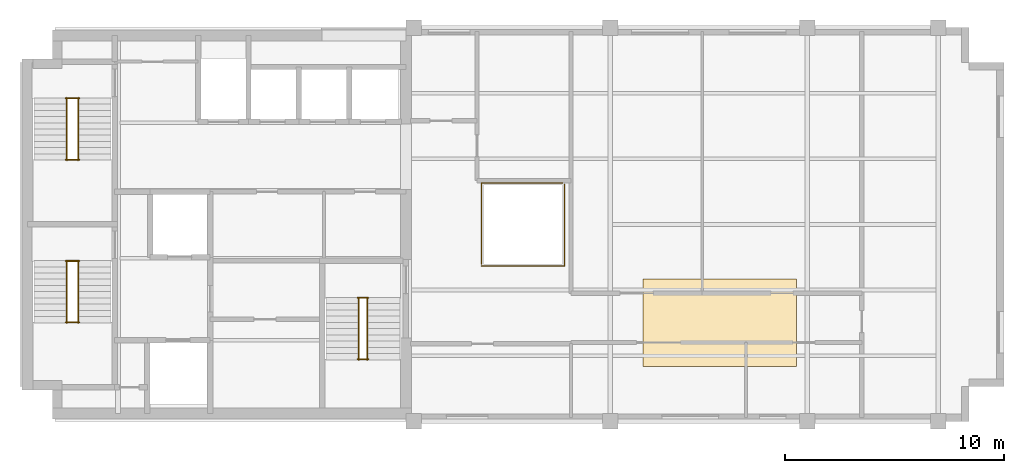
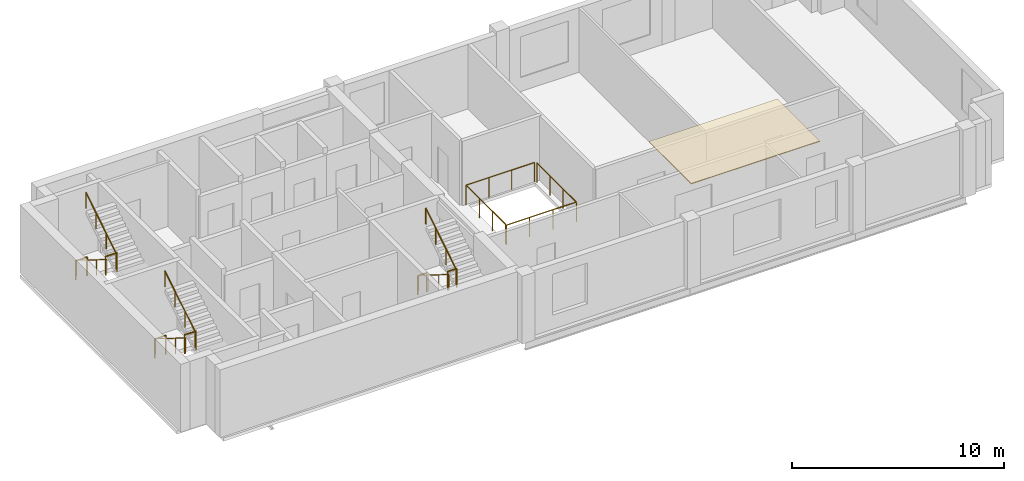
# One storey, part 5 of 5: 14 railings, 1 covering.
"""IFC4 building model written with IfcOpenShell, lengths in metres."""

import ifcopenshell
import ifcopenshell.guid

model = None  # the IFC model being written
_history = None  # IfcOwnerHistory: only IFC2X3 demands one
_inside = {}  # id of a spatial element -> (the spatial element, [elements in it])
_under = {}  # id of a project, library or spatial element -> (it, [spatial elements below it])
_declared = {}  # id of a project -> (the project, [libraries it declares])
_typed = {}  # id of a type object -> (the type object, [elements of that type])
_made_of = {}  # id of a material, layer set ... -> (it, [elements and type objects made of it])


def new_model(schema):
    """Start an empty IFC model of exactly this schema.

    Asked for "IFC4X3", IfcOpenShell would pick the latest addendum, in which some entities
    have other attributes; the version numbers below select the first issue.
    IFC2X3 requires an IfcOwnerHistory on every rooted entity: one is made here for all.
    """
    global model, _history
    if schema == "IFC4X3":
        model = ifcopenshell.file(schema_version=(4, 3, 0, 0))
    else:
        model = ifcopenshell.file(schema=schema)
    _inside.clear()
    _under.clear()
    _declared.clear()
    _typed.clear()
    _made_of.clear()
    _history = None
    if model.schema == "IFC2X3":
        org = make("IfcOrganization", Name="unknown")
        user = make(
            "IfcPersonAndOrganization",
            ThePerson=make("IfcPerson", FamilyName="unknown"),
            TheOrganization=org,
        )
        app = make(
            "IfcApplication",
            ApplicationDeveloper=org,
            Version="unknown",
            ApplicationFullName="unknown",
            ApplicationIdentifier="unknown",
        )
        _history = make(
            "IfcOwnerHistory",
            OwningUser=user,
            OwningApplication=app,
            ChangeAction="ADDED",
            CreationDate=0,
        )
    return model


def make(cls, **values):
    """One entity of the class cls with the attributes given. An attribute that is None is left unset."""
    return model.create_entity(
        cls, **{name: value for name, value in values.items() if value is not None}
    )


def rooted(cls, **values):
    """An entity with a GlobalId (a new one), such as an element, a storey or a relation."""
    return make(cls, GlobalId=ifcopenshell.guid.new(), OwnerHistory=_history, **values)


def si_unit(unit_type, name, prefix=None):
    """IfcSIUnit, for example si_unit("LENGTHUNIT", "METRE", prefix="MILLI")."""
    return make("IfcSIUnit", UnitType=unit_type, Prefix=prefix, Name=name)


def assignment(units):
    """IfcUnitAssignment: the units of a project."""
    return None if units is None else make("IfcUnitAssignment", Units=units)


def point(xyz):
    """IfcCartesianPoint."""
    return None if xyz is None else make("IfcCartesianPoint", Coordinates=xyz)


def direction(xyz):
    """IfcDirection."""
    return None if xyz is None else make("IfcDirection", DirectionRatios=xyz)


def frame(location, z_axis=None, x_axis=None):
    """IfcAxis2Placement3D, a coordinate frame: its origin and axes. An axis left out is left unset."""
    return make(
        "IfcAxis2Placement3D",
        Location=point(location),
        Axis=direction(z_axis),
        RefDirection=direction(x_axis),
    )


def frame_2d(location, x_axis=None):
    """IfcAxis2Placement2D, a coordinate frame in the plane: its origin and x axis."""
    return make(
        "IfcAxis2Placement2D", Location=point(location), RefDirection=direction(x_axis)
    )


def origin():
    """The frame at (0, 0, 0) with its axes left unset."""
    return frame((0.0, 0.0, 0.0))


def origin_2d():
    """The frame at (0, 0) in the plane with its x axis left unset."""
    return frame_2d((0.0, 0.0))


def place(relative_to, where):
    """IfcLocalPlacement: puts the frame where relative to a parent placement (None: the world)."""
    return make(
        "IfcLocalPlacement", PlacementRelTo=relative_to, RelativePlacement=where
    )


def context(
    kind, dimensions, precision=None, world=None, true_north=None, identifier=None
):
    """IfcGeometricRepresentationContext, for example the 3D "Model" context."""
    return make(
        "IfcGeometricRepresentationContext",
        ContextIdentifier=identifier,
        ContextType=kind,
        CoordinateSpaceDimension=dimensions,
        Precision=precision,
        WorldCoordinateSystem=world,
        TrueNorth=true_north,
    )


def subcontext(parent, identifier, kind, view, scale=None):
    """IfcGeometricRepresentationSubContext, for example "Body" below "Model"."""
    return make(
        "IfcGeometricRepresentationSubContext",
        ContextIdentifier=identifier,
        ContextType=kind,
        ParentContext=parent,
        TargetScale=scale,
        TargetView=view,
    )


def project(units=None, contexts=None):
    """IfcProject with its units and contexts."""
    return rooted(
        "IfcProject",
        Name="project",
        RepresentationContexts=contexts,
        UnitsInContext=assignment(units),
    )


def spatial(cls, under=None, at=None, **own):
    """A site, building, storey or space (cls), placed at a placement, below another one or the project."""
    s = rooted(cls, ObjectPlacement=at, **own)
    if under is not None:
        _under.setdefault(under.id(), (under, []))[1].append(s)
    return s


def polyline(points):
    """IfcPolyline through the points."""
    return make("IfcPolyline", Points=[point(p) for p in points])


def profile(cls, at=None, kind="AREA", **sizes):
    """A parametric profile (cls). Its sizes go by their IFC names, for example OverallWidth=200.0."""
    return make(cls, ProfileType=kind, Position=at, **sizes)


def circle(**sizes):
    """IfcCircleProfileDef."""
    return profile("IfcCircleProfileDef", **sizes)


def outline(outer, holes=None, kind="AREA"):
    """IfcArbitraryClosedProfileDef: a profile drawn as a closed curve; with holes, ...WithVoids."""
    if holes is None:
        return make("IfcArbitraryClosedProfileDef", ProfileType=kind, OuterCurve=outer)
    return make(
        "IfcArbitraryProfileDefWithVoids",
        ProfileType=kind,
        OuterCurve=outer,
        InnerCurves=holes,
    )


def extrude(swept, where, along, depth):
    """IfcExtrudedAreaSolid: the profile swept, set in the frame where, extruded along a direction by depth."""
    return make(
        "IfcExtrudedAreaSolid",
        SweptArea=swept,
        Position=where,
        ExtrudedDirection=direction(along),
        Depth=depth,
    )


def shape(context_of_items, identifier, shape_type, items):
    """IfcShapeRepresentation: the items that make up one representation, for example the "Body"."""
    return make(
        "IfcShapeRepresentation",
        ContextOfItems=context_of_items,
        RepresentationIdentifier=identifier,
        RepresentationType=shape_type,
        Items=items,
    )


def material(Name=None, Category=None):
    """IfcMaterial."""
    return make("IfcMaterial", Name=Name, Category=Category)


def layer(
    of_material, thickness, ventilated=None, Name=None, Category=None, Priority=None
):
    """IfcMaterialLayer: one layer of a wall or slab, of a material (None: an air gap)."""
    return make(
        "IfcMaterialLayer",
        Material=of_material,
        LayerThickness=thickness,
        IsVentilated=ventilated,
        Name=Name,
        Category=Category,
        Priority=Priority,
    )


def layer_set(layers, Name=None):
    """IfcMaterialLayerSet."""
    return make("IfcMaterialLayerSet", MaterialLayers=layers, LayerSetName=Name)


def made_of(thing, what):
    """Note that an element or type object is made of a material, layer set ...; save() writes the relation."""
    if what is not None:
        _made_of.setdefault(what.id(), (what, []))[1].append(thing)
    return thing


def type_object(cls, material=None, **own):
    """A type object (cls), such as IfcWallType, which elements share."""
    return made_of(rooted(cls, **own), material)


def element(
    cls,
    number,
    at=None,
    inside=None,
    cuts=None,
    type_object=None,
    material=None,
    context=None,
    identifier="Body",
    shape_type=None,
    held_by="IfcProductDefinitionShape",
    body=None,
    shapes=None,
    **own,
):
    """One element of the class cls, such as IfcWall. Its Tag is "e" and its number.

    at: its placement. inside: the storey or other place that contains it. cuts: it is an
    opening in that element (IfcRelVoidsElement). A single representation is given by context,
    identifier, shape_type and body (its items); several are given by shapes. held_by: the class
    of the entity that holds the representations. save() writes the other relations.
    """
    e = rooted(cls, Tag="e%d" % number, ObjectPlacement=at, **own)
    if body is not None:
        shapes = [shape(context, identifier, shape_type, body)]
    if shapes is not None:
        e.Representation = make(held_by, Representations=shapes)
    if inside is not None:
        _inside.setdefault(inside.id(), (inside, []))[1].append(e)
    if cuts is not None:
        rooted(
            "IfcRelVoidsElement", RelatingBuildingElement=cuts, RelatedOpeningElement=e
        )
    if type_object is not None:
        _typed.setdefault(type_object.id(), (type_object, []))[1].append(e)
    return made_of(e, material)


def aggregate(whole, parts):
    """IfcRelAggregates: a whole, such as a stair, and the parts it consists of."""
    return rooted("IfcRelAggregates", RelatingObject=whole, RelatedObjects=parts)


def save(model, path):
    """Write the relations noted so far, then the file.

    IfcRelAggregates (storeys below a building ...), IfcRelContainedInSpatialStructure (elements
    in a storey), IfcRelDefinesByType, IfcRelAssociatesMaterial and IfcRelDeclares: one each for
    every whole, place, type object, material and project.
    """
    for whole, parts in _under.values():
        aggregate(whole, parts)
    for where, things in _inside.values():
        rooted(
            "IfcRelContainedInSpatialStructure",
            RelatedElements=things,
            RelatingStructure=where,
        )
    for kind, things in _typed.values():
        rooted("IfcRelDefinesByType", RelatedObjects=things, RelatingType=kind)
    for what, things in _made_of.values():
        rooted("IfcRelAssociatesMaterial", RelatedObjects=things, RelatingMaterial=what)
    for by, libraries in _declared.values():
        rooted("IfcRelDeclares", RelatingContext=by, RelatedDefinitions=libraries)
    model.write(path)


model = new_model("IFC4")

# Units and contexts
model_context = context("Model", 3, precision=1e-05, world=origin(), true_north=direction((0.0, 1.0)))
body_context = subcontext(model_context, "Body", "Model", "MODEL_VIEW")
ifc_project = project(units=[si_unit("LENGTHUNIT", "METRE"), si_unit("AREAUNIT", "SQUARE_METRE"), si_unit("VOLUMEUNIT", "CUBIC_METRE"), si_unit("PLANEANGLEUNIT", "RADIAN"), si_unit("MASSUNIT", "GRAM", prefix="KILO")], contexts=[model_context])

# Site, building, storey
site_placement = place(None, origin())
site = spatial("IfcSite", under=ifc_project, at=site_placement, CompositionType="ELEMENT")
building_placement = place(site_placement, origin())
building = spatial("IfcBuilding", under=site, at=building_placement, Name="Mawjdan Bourse Tower", CompositionType="ELEMENT")
storey_placement = place(building_placement, frame((0.0, 0.0, 293.699951171875)))
storey = spatial("IfcBuildingStorey", under=building, at=storey_placement, Name="L72", CompositionType="ELEMENT", Elevation=293.699951171875)

# Covering
ifc_material_1 = material(Name="Perforated Mineral-Fibre Acoustic Ceiling")
ifc_layer = layer(ifc_material_1, 0.044921875)
ifc_layer_set = layer_set([ifc_layer], Name="Perforated Mineral-Fibre Acoustic Ceiling")
covering_type = type_object("IfcCoveringType", Name="COV-CLG-AC", PredefinedType="CEILING", material=ifc_layer_set)
covering_placement = place(storey_placement, frame((0.0, 0.0, 3.670166015625)))
element("IfcCovering", 1, at=covering_placement, inside=storey, type_object=covering_type, Name="L72 Suspended Acoustic Ceiling", PredefinedType="CEILING", context=body_context, shape_type="SweptSolid", body=[
    extrude(outline(polyline([(34.5, 5.5), (41.5, 5.5), (41.5, 9.5), (34.5, 9.5), (34.5, 5.5)])), origin(), (0.0, 0.0, 1.0), 0.044921875),
])

# Railings
ifc_material_2 = material(Name="Stainless Steel and Laminated Glass", Category="steel")
railing_type_1 = type_object("IfcRailingType", Name="RLG-BAL-1150", PredefinedType="BALUSTRADE", material=ifc_material_2)
railing_1_placement = place(storey_placement, frame((27.10009765625, 10.10009765625, 0.0)))
element("IfcRailing", 2, at=railing_1_placement, inside=storey, type_object=railing_type_1, Name="L72 Summit Atrium Lightwell Balustrade SE", PredefinedType="BALUSTRADE", context=body_context, shape_type="SweptSolid", body=[
    extrude(circle(Radius=0.02685546875, at=origin_2d()), frame((0.0, 0.0, 1.123046875), z_axis=(1.0, 0.0, 0.0), x_axis=(0.0, 1.0, 0.0)), (0.0, 0.0, 1.0), 3.7998046875),
    extrude(circle(Radius=0.02685546875, at=origin_2d()), frame((3.7998046875, 0.0, 1.123046875), z_axis=(0.0, 1.0, 0.0), x_axis=(-1.0, 0.0, 0.0)), (0.0, 0.0, 1.0), 3.719970703125),
    extrude(circle(Radius=0.02294921875, at=origin_2d()), origin(), (0.0, 0.0, 1.0), 1.095947265625),
    extrude(circle(Radius=0.02294921875, at=origin_2d()), frame((1.2666015625, 0.0, 0.0)), (0.0, 0.0, 1.0), 1.095947265625),
    extrude(circle(Radius=0.02294921875, at=origin_2d()), frame((2.533203125, 0.0, 0.0)), (0.0, 0.0, 1.0), 1.095947265625),
    extrude(circle(Radius=0.02294921875, at=origin_2d()), frame((3.7998046875, 0.0, 0.0)), (0.0, 0.0, 1.0), 1.095947265625),
    extrude(circle(Radius=0.02294921875, at=origin_2d()), frame((3.7998046875, 1.239990234375, 0.0)), (0.0, 0.0, 1.0), 1.095947265625),
    extrude(circle(Radius=0.02294921875, at=origin_2d()), frame((3.7998046875, 2.47998046875, 0.0)), (0.0, 0.0, 1.0), 1.095947265625),
    extrude(circle(Radius=0.02294921875, at=origin_2d()), frame((3.7998046875, 3.719970703125, 0.0)), (0.0, 0.0, 1.0), 1.095947265625),
])
railing_2_placement = place(storey_placement, frame((30.820068359375, 13.89990234375, 0.0)))
element("IfcRailing", 3, at=railing_2_placement, inside=storey, type_object=railing_type_1, Name="L72 Summit Atrium Lightwell Balustrade NW", PredefinedType="BALUSTRADE", context=body_context, shape_type="SweptSolid", body=[
    extrude(circle(Radius=0.02685546875, at=origin_2d()), frame((0.0, 0.0, 1.123046875), z_axis=(-1.0, 0.0, 0.0), x_axis=(0.0, -1.0, 0.0)), (0.0, 0.0, 1.0), 3.719970703125),
    extrude(circle(Radius=0.02685546875, at=origin_2d()), frame((-3.719970703125, 0.0, 1.123046875), z_axis=(0.0, -1.0, 0.0), x_axis=(1.0, 0.0, 0.0)), (0.0, 0.0, 1.0), 3.719970703125),
    extrude(circle(Radius=0.02294921875, at=origin_2d()), origin(), (0.0, 0.0, 1.0), 1.095947265625),
    extrude(circle(Radius=0.02294921875, at=origin_2d()), frame((-1.239990234375, 0.0, 0.0)), (0.0, 0.0, 1.0), 1.095947265625),
    extrude(circle(Radius=0.02294921875, at=origin_2d()), frame((-2.47998046875, 0.0, 0.0)), (0.0, 0.0, 1.0), 1.095947265625),
    extrude(circle(Radius=0.02294921875, at=origin_2d()), frame((-3.719970703125, 0.0, 0.0)), (0.0, 0.0, 1.0), 1.095947265625),
    extrude(circle(Radius=0.02294921875, at=origin_2d()), frame((-3.719970703125, -1.239990234375, 0.0)), (0.0, 0.0, 1.0), 1.095947265625),
    extrude(circle(Radius=0.02294921875, at=origin_2d()), frame((-3.719970703125, -2.47998046875, 0.0)), (0.0, 0.0, 1.0), 1.095947265625),
    extrude(circle(Radius=0.02294921875, at=origin_2d()), frame((-3.719970703125, -3.719970703125, 0.0)), (0.0, 0.0, 1.0), 1.095947265625),
])
ifc_material_3 = material(Name="Structural Steel S355", Category="steel")
railing_type_2 = type_object("IfcRailingType", Name="RLG-GRD-1100", PredefinedType="GUARDRAIL", material=ifc_material_3)
for number, where, name in (
    (4, (8.090087890625, 7.52001953125, 1.949951171875), "L72 ST1 Landing Guardrail GL-MID"),
    (5, (8.090087890625, 10.330078125, 0.0), "L72 ST1 Landing Guardrail GL-BOT"),
    (6, (8.090087890625, 14.9599609375, 1.949951171875), "L72 ST2 Landing Guardrail GL-MID"),
    (7, (8.090087890625, 17.77001953125, 0.0), "L72 ST2 Landing Guardrail GL-BOT"),
):
    element("IfcRailing", number, at=place(storey_placement, frame(where)), inside=storey, type_object=railing_type_2, Name=name, PredefinedType="GUARDRAIL", context=body_context, shape_type="SweptSolid", body=[
        extrude(circle(Radius=0.02490234375, at=origin_2d()), frame((0.0, 0.0, 1.0751953125), z_axis=(1.0, 0.0, 0.0), x_axis=(0.0, 1.0, 0.0)), (0.0, 0.0, 1.0), 0.619873046875),
        extrude(circle(Radius=0.02099609375, at=origin_2d()), origin(), (0.0, 0.0, 1.0), 1.050048828125),
        extrude(circle(Radius=0.02099609375, at=origin_2d()), frame((0.619873046875, 0.0, 0.0)), (0.0, 0.0, 1.0), 1.050048828125),
    ])
for number, where, name in (
    (8, (21.43994140625, 5.830078125, 1.949951171875), "L72 ST7 Landing Guardrail GL-MID"),
    (9, (21.43994140625, 8.639892578125, 0.0), "L72 ST7 Landing Guardrail GL-BOT"),
):
    element("IfcRailing", number, at=place(storey_placement, frame(where)), inside=storey, type_object=railing_type_2, Name=name, PredefinedType="GUARDRAIL", context=body_context, shape_type="SweptSolid", body=[
        extrude(circle(Radius=0.02490234375, at=origin_2d()), frame((0.0, 0.0, 1.0751953125), z_axis=(1.0, 0.0, 0.0), x_axis=(0.0, 1.0, 0.0)), (0.0, 0.0, 1.0), 0.489990234375),
        extrude(circle(Radius=0.02099609375, at=origin_2d()), origin(), (0.0, 0.0, 1.0), 1.050048828125),
        extrude(circle(Radius=0.02099609375, at=origin_2d()), frame((0.489990234375, 0.0, 0.0)), (0.0, 0.0, 1.0), 1.050048828125),
    ])
ifc_material_4 = material(Name="Brushed Stainless Steel", Category="steel")
railing_type_3 = type_object("IfcRailingType", Name="RLG-HND-920", PredefinedType="HANDRAIL", material=ifc_material_4)
railing_3_placement = place(storey_placement, frame((8.139892578125, 10.35009765625, 0.17724609375)))
element("IfcRailing", 10, at=railing_3_placement, inside=storey, type_object=railing_type_3, Name="L72 ST1 Flight Handrail HR1", PredefinedType="HANDRAIL", context=body_context, shape_type="SweptSolid", body=[
    extrude(circle(Radius=0.0224609375, at=origin_2d()), frame((0.0, 0.0, 0.8974609375), z_axis=(0.0, -0.849148672731, 0.528153890072), x_axis=(1.0, 0.0, 0.0)), (0.0, 0.0, 1.0), 3.3564453125),
    extrude(circle(Radius=0.01904296875, at=origin_2d()), origin(), (0.0, 0.0, 1.0), 0.875),
    extrude(circle(Radius=0.01904296875, at=origin_2d()), frame((0.0, -0.949951171875, 0.5908203125)), (0.0, 0.0, 1.0), 0.875),
    extrude(circle(Radius=0.01904296875, at=origin_2d()), frame((0.0, -1.900146484375, 1.181884765625)), (0.0, 0.0, 1.0), 0.875),
    extrude(circle(Radius=0.01904296875, at=origin_2d()), frame((0.0, -2.85009765625, 1.772705078125)), (0.0, 0.0, 1.0), 0.875),
])
railing_4_placement = place(storey_placement, frame((8.659912109375, 7.5, 2.12744140625)))
element("IfcRailing", 11, at=railing_4_placement, inside=storey, type_object=railing_type_3, Name="L72 ST1 Flight Handrail HR2", PredefinedType="HANDRAIL", context=body_context, shape_type="SweptSolid", body=[
    extrude(circle(Radius=0.0224609375, at=origin_2d()), frame((0.0, 0.0, 0.8974609375), z_axis=(0.0, 0.849148672731, 0.528153890072), x_axis=(-1.0, 0.0, 0.0)), (0.0, 0.0, 1.0), 3.3564453125),
    extrude(circle(Radius=0.01904296875, at=origin_2d()), origin(), (0.0, 0.0, 1.0), 0.875),
    extrude(circle(Radius=0.01904296875, at=origin_2d()), frame((0.0, 0.949951171875, 0.5908203125)), (0.0, 0.0, 1.0), 0.875),
    extrude(circle(Radius=0.01904296875, at=origin_2d()), frame((0.0, 1.900146484375, 1.181884765625)), (0.0, 0.0, 1.0), 0.875),
    extrude(circle(Radius=0.01904296875, at=origin_2d()), frame((0.0, 2.85009765625, 1.772705078125)), (0.0, 0.0, 1.0), 0.875),
])
railing_5_placement = place(storey_placement, frame((8.139892578125, 17.7900390625, 0.17724609375)))
element("IfcRailing", 12, at=railing_5_placement, inside=storey, type_object=railing_type_3, Name="L72 ST2 Flight Handrail HR1", PredefinedType="HANDRAIL", context=body_context, shape_type="SweptSolid", body=[
    extrude(circle(Radius=0.0224609375, at=origin_2d()), frame((0.0, 0.0, 0.8974609375), z_axis=(0.0, -0.849148672731, 0.528153890072), x_axis=(1.0, 0.0, 0.0)), (0.0, 0.0, 1.0), 3.3564453125),
    extrude(circle(Radius=0.01904296875, at=origin_2d()), origin(), (0.0, 0.0, 1.0), 0.875),
    extrude(circle(Radius=0.01904296875, at=origin_2d()), frame((0.0, -0.949951171875, 0.5908203125)), (0.0, 0.0, 1.0), 0.875),
    extrude(circle(Radius=0.01904296875, at=origin_2d()), frame((0.0, -1.900146484375, 1.181884765625)), (0.0, 0.0, 1.0), 0.875),
    extrude(circle(Radius=0.01904296875, at=origin_2d()), frame((0.0, -2.85009765625, 1.772705078125)), (0.0, 0.0, 1.0), 0.875),
])
railing_6_placement = place(storey_placement, frame((8.659912109375, 14.93994140625, 2.12744140625)))
element("IfcRailing", 13, at=railing_6_placement, inside=storey, type_object=railing_type_3, Name="L72 ST2 Flight Handrail HR2", PredefinedType="HANDRAIL", context=body_context, shape_type="SweptSolid", body=[
    extrude(circle(Radius=0.0224609375, at=origin_2d()), frame((0.0, 0.0, 0.8974609375), z_axis=(0.0, 0.849148672731, 0.528153890072), x_axis=(-1.0, 0.0, 0.0)), (0.0, 0.0, 1.0), 3.3564453125),
    extrude(circle(Radius=0.01904296875, at=origin_2d()), origin(), (0.0, 0.0, 1.0), 0.875),
    extrude(circle(Radius=0.01904296875, at=origin_2d()), frame((0.0, 0.949951171875, 0.5908203125)), (0.0, 0.0, 1.0), 0.875),
    extrude(circle(Radius=0.01904296875, at=origin_2d()), frame((0.0, 1.900146484375, 1.181884765625)), (0.0, 0.0, 1.0), 0.875),
    extrude(circle(Radius=0.01904296875, at=origin_2d()), frame((0.0, 2.85009765625, 1.772705078125)), (0.0, 0.0, 1.0), 0.875),
])
railing_7_placement = place(storey_placement, frame((21.489990234375, 8.659912109375, 0.17724609375)))
element("IfcRailing", 14, at=railing_7_placement, inside=storey, type_object=railing_type_3, Name="L72 ST7 Flight Handrail HR1", PredefinedType="HANDRAIL", context=body_context, shape_type="SweptSolid", body=[
    extrude(circle(Radius=0.0224609375, at=origin_2d()), frame((0.0, 0.0, 0.8974609375), z_axis=(0.0, -0.849128380713, 0.528186513523), x_axis=(1.0, 0.0, 0.0)), (0.0, 0.0, 1.0), 3.356201171875),
    extrude(circle(Radius=0.01904296875, at=origin_2d()), origin(), (0.0, 0.0, 1.0), 0.875),
    extrude(circle(Radius=0.01904296875, at=origin_2d()), frame((0.0, -0.949951171875, 0.5908203125)), (0.0, 0.0, 1.0), 0.875),
    extrude(circle(Radius=0.01904296875, at=origin_2d()), frame((0.0, -1.89990234375, 1.181884765625)), (0.0, 0.0, 1.0), 0.875),
    extrude(circle(Radius=0.01904296875, at=origin_2d()), frame((0.0, -2.849853515625, 1.772705078125)), (0.0, 0.0, 1.0), 0.875),
])
railing_8_placement = place(storey_placement, frame((21.8798828125, 5.81005859375, 2.12744140625)))
element("IfcRailing", 15, at=railing_8_placement, inside=storey, type_object=railing_type_3, Name="L72 ST7 Flight Handrail HR2", PredefinedType="HANDRAIL", context=body_context, shape_type="SweptSolid", body=[
    extrude(circle(Radius=0.0224609375, at=origin_2d()), frame((0.0, 0.0, 0.8974609375), z_axis=(0.0, 0.849128380713, 0.528186513523), x_axis=(-1.0, 0.0, 0.0)), (0.0, 0.0, 1.0), 3.356201171875),
    extrude(circle(Radius=0.01904296875, at=origin_2d()), origin(), (0.0, 0.0, 1.0), 0.875),
    extrude(circle(Radius=0.01904296875, at=origin_2d()), frame((0.0, 0.949951171875, 0.5908203125)), (0.0, 0.0, 1.0), 0.875),
    extrude(circle(Radius=0.01904296875, at=origin_2d()), frame((0.0, 1.89990234375, 1.181884765625)), (0.0, 0.0, 1.0), 0.875),
    extrude(circle(Radius=0.01904296875, at=origin_2d()), frame((0.0, 2.849853515625, 1.772705078125)), (0.0, 0.0, 1.0), 0.875),
])

save(model, "model.ifc")
